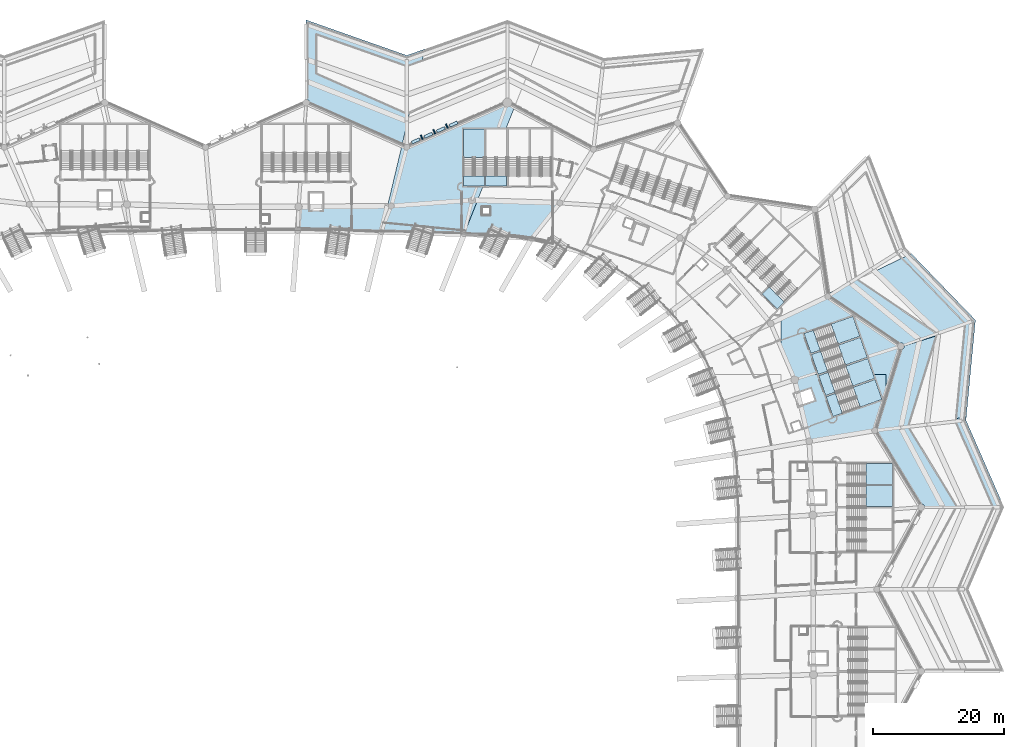
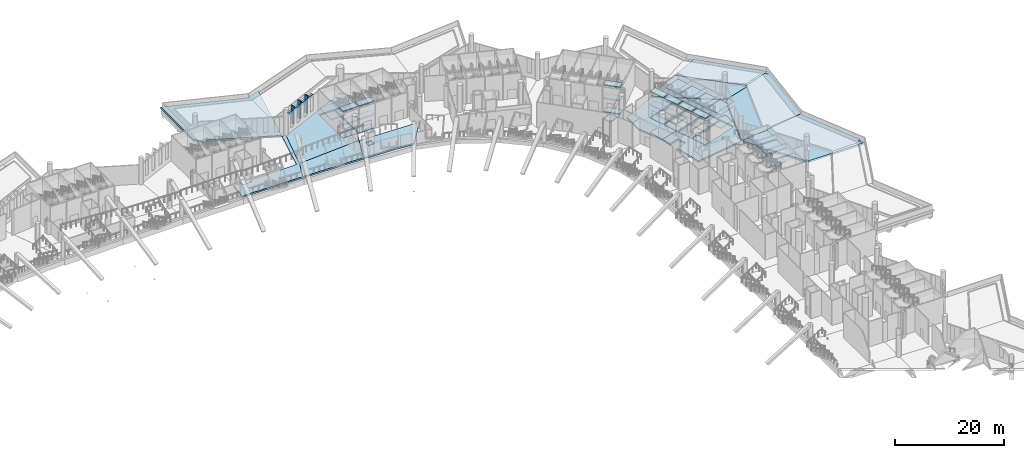
# One storey, part 38 of 173: 45 slabs, 7 plates, 9 elements without a shape of their own.
"""IFC4 building model written with IfcOpenShell, lengths in metres."""

from ifc_helpers import new_model, si_unit, direction, frame, origin, origin_2d, place, context, subcontext, project, spatial, polyline, rectangle, outline, extrude, material, layer, layer_set, type_object, element, aggregate, save


model = new_model("IFC4")

# Units and contexts
model_context = context("Model", 3, precision=1e-05, world=origin(), true_north=direction((0.0, 1.0)))
body_context = subcontext(model_context, "Body", "Model", "MODEL_VIEW")
ifc_project = project(units=[si_unit("LENGTHUNIT", "METRE"), si_unit("AREAUNIT", "SQUARE_METRE"), si_unit("VOLUMEUNIT", "CUBIC_METRE"), si_unit("PLANEANGLEUNIT", "RADIAN"), si_unit("MASSUNIT", "GRAM", prefix="KILO")], contexts=[model_context])

# Site, building, storey
site_placement = place(None, origin())
site = spatial("IfcSite", under=ifc_project, at=site_placement, CompositionType="ELEMENT")
building_placement = place(site_placement, origin())
building = spatial("IfcBuilding", under=site, at=building_placement, Name="Meseta Stadium", CompositionType="ELEMENT")
storey_placement = place(building_placement, frame((0.0, 0.0, 18.0)))
storey = spatial("IfcBuildingStorey", under=building, at=storey_placement, Name="L03", CompositionType="ELEMENT", Elevation=18.0)

# Slabs
ifc_material_1 = material(Name="Concrete C40/50", Category="concrete")
ifc_layer_1 = layer(ifc_material_1, 0.35009765625)
ifc_layer_set_1 = layer_set([ifc_layer_1], Name="Floor slab 350")
slab_type_1 = type_object("IfcSlabType", Name="Floor slab 350", PredefinedType="FLOOR", material=ifc_layer_set_1)
slab_1_placement = place(storey_placement, frame((0.0, 0.0, -0.35009765625)))
element("IfcSlab", 1, at=slab_1_placement, inside=storey, type_object=slab_type_1, Name="Floor slab L03 sector 07 panel 09", PredefinedType="FLOOR", context=body_context, shape_type="SweptSolid", body=[
    extrude(outline(polyline([(82.119873046875, 63.19091796875), (82.137451171875, 63.115966796875), (84.95703125, 64.0), (85.7041015625, 64.0), (84.647705078125, 67.01953125), (92.104248046875, 69.62890625), (93.1611328125, 66.6083984375), (85.70703125, 64.0), (86.312255859375, 64.0), (93.227294921875, 66.419677734375), (94.07373046875, 64.0), (96.0, 64.0), (96.0, 60.927734375), (98.291015625, 68.297607421875), (87.15087890625, 75.856689453125), (80.0, 72.48828125), (80.0, 68.13232421875), (82.119873046875, 63.19091796875)]), holes=[polyline([(84.58154296875, 67.208251953125), (83.524658203125, 70.228759765625), (90.981201171875, 72.837890625), (92.0380859375, 69.8173828125), (84.58154296875, 67.208251953125)])]), origin(), (0.0, 0.0, 1.0), 0.35009765625),
])
slab_2_placement = place(storey_placement, frame((0.0, 0.0, -0.35009765625)))
element("IfcSlab", 2, at=slab_2_placement, inside=storey, type_object=slab_type_1, Name="Floor slab L03 sector 07 panel 10", PredefinedType="FLOOR", context=body_context, shape_type="SweptSolid", body=[
    extrude(outline(polyline([(84.3251953125, 53.801513671875), (94.29443359375, 55.44140625), (96.0, 60.927734375), (96.0, 64.0), (94.07373046875, 64.0), (94.2841796875, 63.399169921875), (86.827392578125, 60.789794921875), (85.7705078125, 63.810302734375), (86.312255859375, 64.0), (85.70703125, 64.0), (85.70458984375, 63.9990234375), (85.7041015625, 64.0), (84.956787109375, 64.0), (82.137451171875, 63.115966796875), (82.59619140625, 61.163330078125), (84.55029296875, 61.84716796875), (85.177978515625, 60.0537109375), (83.032958984375, 59.30322265625), (84.3251953125, 53.801513671875)]), holes=[polyline([(95.406982421875, 60.18994140625), (87.950439453125, 57.580810546875), (86.8935546875, 60.601318359375), (94.35009765625, 63.21044921875), (95.406982421875, 60.18994140625)])]), origin(), (0.0, 0.0, 1.0), 0.35009765625),
])
slab_3_placement = place(storey_placement, frame((0.0, 0.0, -0.35009765625)))
element("IfcSlab", 3, at=slab_3_placement, inside=storey, type_object=slab_type_1, Name="Floor slab L03 sector 14 panel 07", PredefinedType="FLOOR", context=body_context, shape_type="SweptSolid", body=[
    extrude(outline(polyline([(6.386962890625, 85.876708984375), (8.51416015625, 85.85888671875), (10.6396484375, 85.8359375), (12.76318359375, 85.808349609375), (14.884521484375, 85.77587890625), (17.0029296875, 85.7392578125), (19.11865234375, 85.6982421875), (20.649658203125, 89.65625), (23.0, 98.60009765625), (22.267822265625, 98.9248046875), (20.059814453125, 89.651611328125), (10.11669921875, 89.574462890625), (10.11669921875, 89.0), (8.216796875, 89.0), (8.216796875, 89.5595703125), (6.678466796875, 89.547607421875), (6.386962890625, 85.876708984375)])), origin(), (0.0, 0.0, 1.0), 0.35009765625),
])
slab_4_placement = place(storey_placement, frame((0.0, 0.0, -0.35009765625)))
element("IfcSlab", 4, at=slab_4_placement, inside=storey, type_object=slab_type_1, Name="Floor slab L03 sector 14 panel 09", PredefinedType="FLOOR", context=body_context, shape_type="SweptSolid", body=[
    extrude(outline(polyline([(23.33984375, 85.6044921875), (25.445068359375, 85.55224609375), (27.54638671875, 85.49658203125), (29.643798828125, 85.43798828125), (31.73681640625, 85.376708984375), (33.779541015625, 90.524658203125), (32.944091796875, 90.551025390625), (20.649658203125, 89.65625), (19.11865234375, 85.6982421875), (21.23095703125, 85.6533203125), (23.33984375, 85.6044921875)])), origin(), (0.0, 0.0, 1.0), 0.35009765625),
])
slab_5_placement = place(storey_placement, frame((0.0, 0.0, -0.35009765625)))
element("IfcSlab", 5, at=slab_5_placement, inside=storey, type_object=slab_type_1, Name="Floor slab L03 sector 14 panel 10", PredefinedType="FLOOR", context=body_context, shape_type="SweptSolid", body=[
    extrude(outline(polyline([(38.09521484375, 101.39990234375), (39.443603515625, 104.798095703125), (38.333251953125, 105.39990234375), (23.0, 98.60009765625), (20.649658203125, 89.65625), (32.944091796875, 90.551025390625), (33.779541015625, 90.524658203125), (34.642822265625, 92.699951171875), (31.63330078125, 92.699951171875), (31.63330078125, 101.39990234375), (34.833251953125, 101.39990234375), (34.833251953125, 93.179931640625), (35.033203125, 93.683837890625), (35.033203125, 101.39990234375), (38.09521484375, 101.39990234375)])), origin(), (0.0, 0.0, 1.0), 0.35009765625),
])
slab_6_placement = place(storey_placement, frame((0.0, 0.0, -0.35009765625)))
element("IfcSlab", 6, at=slab_6_placement, inside=storey, type_object=slab_type_1, Name="Floor slab L03 sector 14 panel 11", PredefinedType="FLOOR", context=body_context, shape_type="SweptSolid", body=[
    extrude(outline(polyline([(35.91015625, 85.2470703125), (37.989990234375, 85.17919921875), (39.337890625, 85.069580078125), (40.68017578125, 84.912109375), (42.015380859375, 84.707275390625), (46.333251953125, 90.126220703125), (33.779541015625, 90.524658203125), (31.73681640625, 85.376708984375), (33.82568359375, 85.31298828125), (35.91015625, 85.2470703125)]), holes=[polyline([(35.683349609375, 88.301025390625), (34.4833984375, 88.301025390625), (34.4833984375, 89.501220703125), (35.683349609375, 89.501220703125), (35.683349609375, 88.301025390625)])]), origin(), (0.0, 0.0, 1.0), 0.35009765625),
])

# Plates
ifc_material_2 = material(Name="White precast concrete C40/50", Category="concrete")
ifc_layer_2 = layer(ifc_material_2, 0.080078125)
ifc_layer_set_2 = layer_set([ifc_layer_2], Name="Louvre hood 1300x450")
plate_type_1 = type_object("IfcPlateType", Name="Louvre hood 1300x450", PredefinedType="USERDEFINED", material=ifc_layer_set_2)
for number, where, z_axis, x_axis, name in (
    (7, (24.366455078125, 99.5888671875, 4.25), (0.0, 0.0, 1.0), (-0.914139046248, -0.40540079443, 0.0), "Louvre hood L03 F16"),
    (8, (26.2861328125, 100.440185546875, 4.25), (0.0, 0.0, 1.0), (-0.914139046248, -0.40540079443, 0.0), "Louvre hood L03 F16"),
    (9, (28.205810546875, 101.29150390625, 4.25), (0.0, 0.0, 1.0), (-0.914139046248, -0.40540079443, 0.0), "Louvre hood L03 F16"),
    (10, (30.12548828125, 102.142822265625, 4.25), (0.0, 0.0, 1.0), (-0.914139046248, -0.40540079443, 0.0), "Louvre hood L03 F16"),
):
    element("IfcPlate", number, at=place(storey_placement, frame(where, z_axis=z_axis, x_axis=x_axis)), inside=storey, type_object=plate_type_1, Name=name, ObjectType="LOUVRE", PredefinedType="USERDEFINED", context=body_context, shape_type="SweptSolid", body=[
        extrude(rectangle(XDim=1.300048828125, YDim=0.449951171875, at=origin_2d()), origin(), (0.0, 0.0, 1.0), 0.080078125),
    ])
ifc_material_3 = material(Name="Precast concrete C40/50, terracotta pigment", Category="masonry")
ifc_layer_3 = layer(ifc_material_3, 0.199951171875)
ifc_layer_set_3 = layer_set([ifc_layer_3], Name="Precast concrete C40/50, terracotta pigment")
plate_type_2 = type_object("IfcPlateType", Name="Precast fin 200x700", PredefinedType="USERDEFINED", material=ifc_layer_set_3)
for number, where, z_axis, x_axis, name in (
    (11, (25.275634765625, 100.12890625, 0.9501953125), (0.0, 0.0, 1.0), (0.914139367606, 0.405400069798, 0.0), "Precast fin L03 F16.1"),
    (12, (27.1953125, 100.97998046875, 0.9501953125), (0.0, 0.0, 1.0), (0.914139367606, 0.405400069798, 0.0), "Precast fin L03 F16.2"),
    (13, (29.114990234375, 101.83154296875, 0.9501953125), (0.0, 0.0, 1.0), (0.914139367606, 0.405400069798, 0.0), "Precast fin L03 F16.3"),
):
    element("IfcPlate", number, at=place(storey_placement, frame(where, z_axis=z_axis, x_axis=x_axis)), inside=storey, type_object=plate_type_2, Name=name, ObjectType="FIN", PredefinedType="USERDEFINED", context=body_context, shape_type="SweptSolid", body=[
        extrude(rectangle(XDim=0.199951171875, YDim=0.699951171875, at=origin_2d()), origin(), (0.0, 0.0, 1.0), 4.050048828125),
    ])

# Slabs
ifc_material_4 = material(Name="Concrete C40/50", Category="concrete")
ifc_layer_4 = layer(ifc_material_4, 0.39990234375)
ifc_layer_set_4 = layer_set([ifc_layer_4], Name="Roof garden slab 400")
slab_type_2 = type_object("IfcSlabType", Name="Roof garden slab 400", PredefinedType="ROOF", material=ifc_layer_set_4)
slab_7_placement = place(storey_placement, frame((0.0, 0.0, -0.39990234375)))
element("IfcSlab", 14, at=slab_7_placement, inside=storey, type_object=slab_type_2, Name="Roof garden slab 2 panel 01", PredefinedType="ROOF", context=body_context, shape_type="SweptSolid", body=[
    extrude(outline(polyline([(22.302978515625, 99.072998046875), (25.7548828125, 113.5703125), (23.0, 112.60009765625), (7.666748046875, 118.0), (7.666748046875, 105.904296875), (7.797119140625, 105.88720703125), (7.918701171875, 105.836669921875), (8.023193359375, 105.756591796875), (8.103515625, 105.652099609375), (8.15380859375, 105.530517578125), (8.1708984375, 105.39990234375), (8.16357421875, 105.34375), (22.302978515625, 99.072998046875)])), origin(), (0.0, 0.0, 1.0), 0.39990234375),
])
slab_8_placement = place(storey_placement, frame((0.0, 0.0, -0.39990234375)))
element("IfcSlab", 15, at=slab_8_placement, inside=storey, type_object=slab_type_2, Name="Roof garden slab 1 part 1 panel 04", PredefinedType="ROOF", context=body_context, shape_type="SweptSolid", body=[
    extrude(outline(polyline([(98.727783203125, 68.549560546875), (98.7783203125, 68.427978515625), (98.790283203125, 68.337158203125), (103.94775390625, 69.9541015625), (103.989990234375, 70.29150390625), (94.31884765625, 79.728515625), (87.2333984375, 76.32080078125), (87.23681640625, 76.29931640625), (87.268310546875, 76.295166015625), (87.377685546875, 76.249755859375), (87.4716796875, 76.177734375), (87.5439453125, 76.083740234375), (87.589111328125, 75.97412109375), (87.604736328125, 75.856689453125), (87.58935546875, 75.740478515625), (97.980712890625, 68.689453125), (98.0390625, 68.734130859375), (98.16064453125, 68.78466796875), (98.291015625, 68.8017578125), (98.421630859375, 68.78466796875), (98.543212890625, 68.734130859375), (98.647705078125, 68.654052734375), (98.727783203125, 68.549560546875)])), origin(), (0.0, 0.0, 1.0), 0.39990234375),
])
slab_9_placement = place(storey_placement, frame((0.0, 0.0, -0.39990234375)))
element("IfcSlab", 16, at=slab_9_placement, inside=storey, type_object=slab_type_2, Name="Roof garden slab 1 part 1 panel 05", PredefinedType="ROOF", context=body_context, shape_type="SweptSolid", body=[
    extrude(outline(polyline([(99.877197265625, 82.401611328125), (94.31884765625, 79.728515625), (103.989990234375, 70.29150390625), (109.0869140625, 72.0751953125), (109.03564453125, 71.54931640625), (109.601318359375, 71.726806640625), (109.6533203125, 72.273193359375), (99.877197265625, 82.401611328125)])), origin(), (0.0, 0.0, 1.0), 0.39990234375),
])
slab_10_placement = place(storey_placement, frame((0.0, 0.0, -0.39990234375)))
element("IfcSlab", 17, at=slab_10_placement, inside=storey, type_object=slab_type_2, Name="Roof garden slab 1 part 1 panel 06", PredefinedType="ROOF", context=body_context, shape_type="SweptSolid", body=[
    extrude(outline(polyline([(98.7783203125, 68.1669921875), (98.727783203125, 68.04541015625), (98.647705078125, 67.94091796875), (98.543212890625, 67.860595703125), (98.421630859375, 67.810302734375), (98.29150390625, 67.793212890625), (94.563720703125, 55.802001953125), (94.615478515625, 55.762451171875), (94.6875, 55.66845703125), (94.73291015625, 55.558837890625), (94.74169921875, 55.491943359375), (97.672607421875, 55.822021484375), (108.255615234375, 57.526611328125), (109.601318359375, 71.726806640625), (109.03564453125, 71.54931640625), (109.0869140625, 72.0751953125), (103.989990234375, 70.29150390625), (103.94775390625, 69.9541015625), (98.790283203125, 68.337158203125), (98.79541015625, 68.297607421875), (98.7783203125, 68.1669921875)])), origin(), (0.0, 0.0, 1.0), 0.39990234375),
])
slab_11_placement = place(storey_placement, frame((0.0, 0.0, -0.39990234375)))
element("IfcSlab", 18, at=slab_11_placement, inside=storey, type_object=slab_type_2, Name="Roof garden slab 1 part 1 panel 07", PredefinedType="ROOF", context=body_context, shape_type="SweptSolid", body=[
    extrude(outline(polyline([(108.255615234375, 57.526611328125), (97.673095703125, 55.822265625), (94.74169921875, 55.491943359375), (94.748291015625, 55.44140625), (94.73291015625, 55.323974609375), (94.6875, 55.214599609375), (94.64306640625, 55.156494140625), (101.27880859375, 44.23828125), (101.39990234375, 44.25439453125), (101.530517578125, 44.237060546875), (101.652099609375, 44.186767578125), (101.756591796875, 44.106689453125), (101.836669921875, 44.002197265625), (101.88720703125, 43.880615234375), (101.904296875, 43.75), (113.39990234375, 43.75), (112.898193359375, 44.8935546875), (113.480712890625, 44.938232421875), (108.206298828125, 57.009033203125), (108.255615234375, 57.526611328125)])), origin(), (0.0, 0.0, 1.0), 0.39990234375),
])

# Stair, slabs
ifc_material_5 = material(Name="Concrete C40/50", Category="concrete")
stair_type = type_object("IfcStairType", Name="Exit stair 4 flights 150 mm risers", PredefinedType="HALF_TURN_STAIR", material=ifc_material_5)
stair_1_placement = place(storey_placement, origin())
stair_1 = element("IfcStair", 19, at=stair_1_placement, inside=storey, type_object=stair_type, Name="ST19 L03", PredefinedType="HALF_TURN_STAIR")
ifc_material_6 = material(Name="Concrete C40/50", Category="concrete")
ifc_layer_5 = layer(ifc_material_6, 0.199951171875)
ifc_layer_set_5 = layer_set([ifc_layer_5], Name="Stair landing 200")
slab_type_3 = type_object("IfcSlabType", Name="Stair landing 200", PredefinedType="LANDING", material=ifc_layer_set_5)
slab_12_placement = place(storey_placement, frame((0.0, 0.0, 1.300048828125)))
slab_12 = element("IfcSlab", 20, at=slab_12_placement, type_object=slab_type_3, Name="ST19 L03 landing 1", PredefinedType="LANDING", context=body_context, shape_type="SweptSolid", body=[
    extrude(outline(polyline([(92.969970703125, 43.85009765625), (97.0, 43.85009765625), (97.0, 47.050048828125), (92.969970703125, 47.050048828125), (92.969970703125, 43.85009765625)])), origin(), (0.0, 0.0, 1.0), 0.199951171875),
])
slab_13_placement = place(storey_placement, frame((0.0, 0.0, 4.300048828125)))
slab_13 = element("IfcSlab", 21, at=slab_13_placement, type_object=slab_type_3, Name="ST19 L03 landing 3", PredefinedType="LANDING", context=body_context, shape_type="SweptSolid", body=[
    extrude(outline(polyline([(92.969970703125, 43.85009765625), (97.0, 43.85009765625), (97.0, 47.050048828125), (92.969970703125, 47.050048828125), (92.969970703125, 43.85009765625)])), origin(), (0.0, 0.0, 1.0), 0.199951171875),
])
aggregate(stair_1, [slab_12, slab_13])

stair_2_placement = place(storey_placement, origin())
stair_2 = element("IfcStair", 22, at=stair_2_placement, inside=storey, type_object=stair_type, Name="ST20 L03", PredefinedType="HALF_TURN_STAIR")
slab_14_placement = place(storey_placement, frame((0.0, 0.0, 1.300048828125)))
slab_14 = element("IfcSlab", 23, at=slab_14_placement, type_object=slab_type_3, Name="ST20 L03 landing 1", PredefinedType="LANDING", context=body_context, shape_type="SweptSolid", body=[
    extrude(outline(polyline([(92.969970703125, 47.25), (97.0, 47.25), (97.0, 50.449951171875), (92.969970703125, 50.449951171875), (92.969970703125, 47.25)])), origin(), (0.0, 0.0, 1.0), 0.199951171875),
])
slab_15_placement = place(storey_placement, frame((0.0, 0.0, 4.300048828125)))
slab_15 = element("IfcSlab", 24, at=slab_15_placement, type_object=slab_type_3, Name="ST20 L03 landing 3", PredefinedType="LANDING", context=body_context, shape_type="SweptSolid", body=[
    extrude(outline(polyline([(92.969970703125, 47.25), (97.0, 47.25), (97.0, 50.449951171875), (92.969970703125, 50.449951171875), (92.969970703125, 47.25)])), origin(), (0.0, 0.0, 1.0), 0.199951171875),
])
aggregate(stair_2, [slab_14, slab_15])

stair_3_placement = place(storey_placement, origin())
stair_3 = element("IfcStair", 25, at=stair_3_placement, inside=storey, type_object=stair_type, Name="ST21 L03", PredefinedType="HALF_TURN_STAIR")
slab_16_placement = place(storey_placement, frame((0.0, 0.0, 1.300048828125)))
slab_16 = element("IfcSlab", 26, at=slab_16_placement, type_object=slab_type_3, Name="ST21 L03 landing 1", PredefinedType="LANDING", context=body_context, shape_type="SweptSolid", body=[
    extrude(outline(polyline([(92.0751953125, 59.024169921875), (95.406982421875, 60.18994140625), (94.35009765625, 63.21044921875), (91.018310546875, 62.04443359375), (92.0751953125, 59.024169921875)])), origin(), (0.0, 0.0, 1.0), 0.199951171875),
])
slab_17_placement = place(storey_placement, frame((0.0, 0.0, 2.800048828125)))
slab_17 = element("IfcSlab", 27, at=slab_17_placement, type_object=slab_type_3, Name="ST21 L03 landing 2", PredefinedType="LANDING", context=body_context, shape_type="SweptSolid", body=[
    extrude(outline(polyline([(87.950439453125, 57.580810546875), (89.375732421875, 58.079345703125), (88.31884765625, 61.099853515625), (86.8935546875, 60.60107421875), (87.950439453125, 57.580810546875)])), origin(), (0.0, 0.0, 1.0), 0.199951171875),
])
slab_18_placement = place(storey_placement, frame((0.0, 0.0, 4.300048828125)))
slab_18 = element("IfcSlab", 28, at=slab_18_placement, type_object=slab_type_3, Name="ST21 L03 landing 3", PredefinedType="LANDING", context=body_context, shape_type="SweptSolid", body=[
    extrude(outline(polyline([(92.0751953125, 59.024169921875), (95.406982421875, 60.18994140625), (94.35009765625, 63.21044921875), (91.018310546875, 62.04443359375), (92.0751953125, 59.024169921875)])), origin(), (0.0, 0.0, 1.0), 0.199951171875),
])
slab_19_placement = place(storey_placement, frame((0.0, 0.0, -0.199951171875)))
slab_19 = element("IfcSlab", 29, at=slab_19_placement, type_object=slab_type_3, Name="ST21 L03 landing 4", PredefinedType="LANDING", context=body_context, shape_type="SweptSolid", body=[
    extrude(outline(polyline([(87.950439453125, 57.580810546875), (89.375732421875, 58.079345703125), (88.31884765625, 61.099853515625), (86.8935546875, 60.60107421875), (87.950439453125, 57.580810546875)])), origin(), (0.0, 0.0, 1.0), 0.199951171875),
])
slab_20_placement = place(storey_placement, frame((0.0, 0.0, 5.800048828125)))
slab_20 = element("IfcSlab", 30, at=slab_20_placement, type_object=slab_type_3, Name="ST21 L03 landing 5", PredefinedType="LANDING", context=body_context, shape_type="SweptSolid", body=[
    extrude(outline(polyline([(87.950439453125, 57.580810546875), (89.375732421875, 58.079345703125), (88.31884765625, 61.099853515625), (86.8935546875, 60.60107421875), (87.950439453125, 57.580810546875)])), origin(), (0.0, 0.0, 1.0), 0.199951171875),
])
aggregate(stair_3, [slab_16, slab_17, slab_18, slab_19, slab_20])

stair_4_placement = place(storey_placement, origin())
stair_4 = element("IfcStair", 31, at=stair_4_placement, inside=storey, type_object=stair_type, Name="ST22 L03", PredefinedType="HALF_TURN_STAIR")
slab_21_placement = place(storey_placement, frame((0.0, 0.0, 1.300048828125)))
slab_21 = element("IfcSlab", 32, at=slab_21_placement, type_object=slab_type_3, Name="ST22 L03 landing 1", PredefinedType="LANDING", context=body_context, shape_type="SweptSolid", body=[
    extrude(outline(polyline([(90.9521484375, 62.233154296875), (94.2841796875, 63.399169921875), (93.227294921875, 66.419677734375), (89.895263671875, 65.253662109375), (90.9521484375, 62.233154296875)])), origin(), (0.0, 0.0, 1.0), 0.199951171875),
])
slab_22_placement = place(storey_placement, frame((0.0, 0.0, 2.800048828125)))
slab_22 = element("IfcSlab", 33, at=slab_22_placement, type_object=slab_type_3, Name="ST22 L03 landing 2", PredefinedType="LANDING", context=body_context, shape_type="SweptSolid", body=[
    extrude(outline(polyline([(86.827392578125, 60.7900390625), (88.252685546875, 61.28857421875), (87.19580078125, 64.30908203125), (85.7705078125, 63.810302734375), (86.827392578125, 60.7900390625)])), origin(), (0.0, 0.0, 1.0), 0.199951171875),
])
slab_23_placement = place(storey_placement, frame((0.0, 0.0, 4.300048828125)))
slab_23 = element("IfcSlab", 34, at=slab_23_placement, type_object=slab_type_3, Name="ST22 L03 landing 3", PredefinedType="LANDING", context=body_context, shape_type="SweptSolid", body=[
    extrude(outline(polyline([(90.9521484375, 62.233154296875), (94.2841796875, 63.399169921875), (93.227294921875, 66.419677734375), (89.895263671875, 65.253662109375), (90.9521484375, 62.233154296875)])), origin(), (0.0, 0.0, 1.0), 0.199951171875),
])
slab_24_placement = place(storey_placement, frame((0.0, 0.0, -0.199951171875)))
slab_24 = element("IfcSlab", 35, at=slab_24_placement, type_object=slab_type_3, Name="ST22 L03 landing 4", PredefinedType="LANDING", context=body_context, shape_type="SweptSolid", body=[
    extrude(outline(polyline([(86.827392578125, 60.7900390625), (88.252685546875, 61.28857421875), (87.19580078125, 64.30908203125), (85.7705078125, 63.810302734375), (86.827392578125, 60.7900390625)])), origin(), (0.0, 0.0, 1.0), 0.199951171875),
])
slab_25_placement = place(storey_placement, frame((0.0, 0.0, 5.800048828125)))
slab_25 = element("IfcSlab", 36, at=slab_25_placement, type_object=slab_type_3, Name="ST22 L03 landing 5", PredefinedType="LANDING", context=body_context, shape_type="SweptSolid", body=[
    extrude(outline(polyline([(86.827392578125, 60.7900390625), (88.252685546875, 61.28857421875), (87.19580078125, 64.30908203125), (85.7705078125, 63.810302734375), (86.827392578125, 60.7900390625)])), origin(), (0.0, 0.0, 1.0), 0.199951171875),
])
aggregate(stair_4, [slab_21, slab_22, slab_23, slab_24, slab_25])

stair_5_placement = place(storey_placement, origin())
stair_5 = element("IfcStair", 37, at=stair_5_placement, inside=storey, type_object=stair_type, Name="ST23 L03", PredefinedType="HALF_TURN_STAIR")
slab_26_placement = place(storey_placement, frame((0.0, 0.0, 1.300048828125)))
slab_26 = element("IfcSlab", 38, at=slab_26_placement, type_object=slab_type_3, Name="ST23 L03 landing 1", PredefinedType="LANDING", context=body_context, shape_type="SweptSolid", body=[
    extrude(outline(polyline([(89.829345703125, 65.4423828125), (93.1611328125, 66.6083984375), (92.104248046875, 69.628662109375), (88.772216796875, 68.462890625), (89.829345703125, 65.4423828125)])), origin(), (0.0, 0.0, 1.0), 0.199951171875),
])
slab_27_placement = place(storey_placement, frame((0.0, 0.0, 2.800048828125)))
slab_27 = element("IfcSlab", 39, at=slab_27_placement, type_object=slab_type_3, Name="ST23 L03 landing 2", PredefinedType="LANDING", context=body_context, shape_type="SweptSolid", body=[
    extrude(outline(polyline([(85.704345703125, 63.9990234375), (87.129638671875, 64.497802734375), (86.07275390625, 67.518310546875), (84.6474609375, 67.01953125), (85.704345703125, 63.9990234375)])), origin(), (0.0, 0.0, 1.0), 0.199951171875),
])
slab_28_placement = place(storey_placement, frame((0.0, 0.0, 4.300048828125)))
slab_28 = element("IfcSlab", 40, at=slab_28_placement, type_object=slab_type_3, Name="ST23 L03 landing 3", PredefinedType="LANDING", context=body_context, shape_type="SweptSolid", body=[
    extrude(outline(polyline([(89.829345703125, 65.4423828125), (93.1611328125, 66.6083984375), (92.104248046875, 69.628662109375), (88.772216796875, 68.462890625), (89.829345703125, 65.4423828125)])), origin(), (0.0, 0.0, 1.0), 0.199951171875),
])
slab_29_placement = place(storey_placement, frame((0.0, 0.0, -0.199951171875)))
slab_29 = element("IfcSlab", 41, at=slab_29_placement, type_object=slab_type_3, Name="ST23 L03 landing 4", PredefinedType="LANDING", context=body_context, shape_type="SweptSolid", body=[
    extrude(outline(polyline([(85.704345703125, 63.9990234375), (87.129638671875, 64.497802734375), (86.07275390625, 67.518310546875), (84.6474609375, 67.01953125), (85.704345703125, 63.9990234375)])), origin(), (0.0, 0.0, 1.0), 0.199951171875),
])
slab_30_placement = place(storey_placement, frame((0.0, 0.0, 5.800048828125)))
slab_30 = element("IfcSlab", 42, at=slab_30_placement, type_object=slab_type_3, Name="ST23 L03 landing 5", PredefinedType="LANDING", context=body_context, shape_type="SweptSolid", body=[
    extrude(outline(polyline([(85.704345703125, 63.9990234375), (87.129638671875, 64.497802734375), (86.07275390625, 67.518310546875), (84.6474609375, 67.01953125), (85.704345703125, 63.9990234375)])), origin(), (0.0, 0.0, 1.0), 0.199951171875),
])
aggregate(stair_5, [slab_26, slab_27, slab_28, slab_29, slab_30])

stair_6_placement = place(storey_placement, origin())
stair_6 = element("IfcStair", 43, at=stair_6_placement, inside=storey, type_object=stair_type, Name="ST24 L03", PredefinedType="HALF_TURN_STAIR")
slab_31_placement = place(storey_placement, frame((0.0, 0.0, 1.300048828125)))
slab_31 = element("IfcSlab", 44, at=slab_31_placement, type_object=slab_type_3, Name="ST24 L03 landing 1", PredefinedType="LANDING", context=body_context, shape_type="SweptSolid", body=[
    extrude(outline(polyline([(88.706298828125, 68.651611328125), (92.0380859375, 69.817626953125), (90.981201171875, 72.837890625), (87.6494140625, 71.672119140625), (88.706298828125, 68.651611328125)])), origin(), (0.0, 0.0, 1.0), 0.199951171875),
])
slab_32_placement = place(storey_placement, frame((0.0, 0.0, 2.800048828125)))
slab_32 = element("IfcSlab", 45, at=slab_32_placement, type_object=slab_type_3, Name="ST24 L03 landing 2", PredefinedType="LANDING", context=body_context, shape_type="SweptSolid", body=[
    extrude(outline(polyline([(84.58154296875, 67.208251953125), (86.0068359375, 67.70703125), (84.949951171875, 70.7275390625), (83.524658203125, 70.228759765625), (84.58154296875, 67.208251953125)])), origin(), (0.0, 0.0, 1.0), 0.199951171875),
])
slab_33_placement = place(storey_placement, frame((0.0, 0.0, 4.300048828125)))
slab_33 = element("IfcSlab", 46, at=slab_33_placement, type_object=slab_type_3, Name="ST24 L03 landing 3", PredefinedType="LANDING", context=body_context, shape_type="SweptSolid", body=[
    extrude(outline(polyline([(88.706298828125, 68.651611328125), (92.0380859375, 69.817626953125), (90.981201171875, 72.837890625), (87.6494140625, 71.672119140625), (88.706298828125, 68.651611328125)])), origin(), (0.0, 0.0, 1.0), 0.199951171875),
])
slab_34_placement = place(storey_placement, frame((0.0, 0.0, -0.199951171875)))
slab_34 = element("IfcSlab", 47, at=slab_34_placement, type_object=slab_type_3, Name="ST24 L03 landing 4", PredefinedType="LANDING", context=body_context, shape_type="SweptSolid", body=[
    extrude(outline(polyline([(84.58154296875, 67.208251953125), (86.0068359375, 67.70703125), (84.949951171875, 70.7275390625), (83.524658203125, 70.228759765625), (84.58154296875, 67.208251953125)])), origin(), (0.0, 0.0, 1.0), 0.199951171875),
])
slab_35_placement = place(storey_placement, frame((0.0, 0.0, 5.800048828125)))
slab_35 = element("IfcSlab", 48, at=slab_35_placement, type_object=slab_type_3, Name="ST24 L03 landing 5", PredefinedType="LANDING", context=body_context, shape_type="SweptSolid", body=[
    extrude(outline(polyline([(84.58154296875, 67.208251953125), (86.0068359375, 67.70703125), (84.949951171875, 70.7275390625), (83.524658203125, 70.228759765625), (84.58154296875, 67.208251953125)])), origin(), (0.0, 0.0, 1.0), 0.199951171875),
])
aggregate(stair_6, [slab_31, slab_32, slab_33, slab_34, slab_35])

stair_7_placement = place(storey_placement, origin())
stair_7 = element("IfcStair", 49, at=stair_7_placement, inside=storey, type_object=stair_type, Name="ST25 L03", PredefinedType="HALF_TURN_STAIR")
slab_36_placement = place(storey_placement, frame((0.0, 0.0, 2.800048828125)))
slab_36 = element("IfcSlab", 50, at=slab_36_placement, type_object=slab_type_3, Name="ST25 L03 landing 2", PredefinedType="LANDING", context=body_context, shape_type="SweptSolid", body=[
    extrude(outline(polyline([(79.446044921875, 73.970947265625), (80.513916015625, 75.03857421875), (78.251220703125, 77.301513671875), (77.183349609375, 76.233642578125), (79.446044921875, 73.970947265625)])), origin(), (0.0, 0.0, 1.0), 0.199951171875),
])
slab_37_placement = place(storey_placement, frame((0.0, 0.0, -0.199951171875)))
slab_37 = element("IfcSlab", 51, at=slab_37_placement, type_object=slab_type_3, Name="ST25 L03 landing 4", PredefinedType="LANDING", context=body_context, shape_type="SweptSolid", body=[
    extrude(outline(polyline([(79.4462890625, 73.970947265625), (79.988037109375, 74.5126953125), (79.988037109375, 74.524658203125), (79.988037109375, 74.52587890625), (79.98828125, 74.527099609375), (79.988525390625, 74.5283203125), (79.989013671875, 74.529296875), (79.989501953125, 74.530517578125), (79.989990234375, 74.531494140625), (79.99072265625, 74.5322265625), (79.991455078125, 74.533203125), (80.50537109375, 75.047119140625), (78.251220703125, 77.301513671875), (77.183349609375, 76.233642578125), (79.4462890625, 73.970947265625)])), origin(), (0.0, 0.0, 1.0), 0.199951171875),
])
slab_38_placement = place(storey_placement, frame((0.0, 0.0, 5.800048828125)))
slab_38 = element("IfcSlab", 52, at=slab_38_placement, type_object=slab_type_3, Name="ST25 L03 landing 5", PredefinedType="LANDING", context=body_context, shape_type="SweptSolid", body=[
    extrude(outline(polyline([(79.4462890625, 73.970947265625), (79.988037109375, 74.5126953125), (79.988037109375, 74.524658203125), (79.988037109375, 74.52587890625), (79.98828125, 74.527099609375), (79.988525390625, 74.5283203125), (79.989013671875, 74.529296875), (79.989501953125, 74.530517578125), (79.989990234375, 74.531494140625), (79.99072265625, 74.5322265625), (79.991455078125, 74.533203125), (80.50537109375, 75.047119140625), (78.251220703125, 77.301513671875), (77.183349609375, 76.233642578125), (79.4462890625, 73.970947265625)])), origin(), (0.0, 0.0, 1.0), 0.199951171875),
])
aggregate(stair_7, [slab_36, slab_37, slab_38])

stair_8_placement = place(storey_placement, origin())
stair_8 = element("IfcStair", 53, at=stair_8_placement, inside=storey, type_object=stair_type, Name="ST35 L03", PredefinedType="HALF_TURN_STAIR")
slab_39_placement = place(storey_placement, frame((0.0, 0.0, 2.800048828125)))
slab_39 = element("IfcSlab", 54, at=slab_39_placement, type_object=slab_type_3, Name="ST35 L03 landing 2", PredefinedType="LANDING", context=body_context, shape_type="SweptSolid", body=[
    extrude(outline(polyline([(38.2333984375, 92.699951171875), (38.2333984375, 94.2099609375), (35.033447265625, 94.2099609375), (35.033447265625, 92.699951171875), (38.2333984375, 92.699951171875)])), origin(), (0.0, 0.0, 1.0), 0.199951171875),
])
slab_40_placement = place(storey_placement, frame((0.0, 0.0, -0.199951171875)))
slab_40 = element("IfcSlab", 55, at=slab_40_placement, type_object=slab_type_3, Name="ST35 L03 landing 4", PredefinedType="LANDING", context=body_context, shape_type="SweptSolid", body=[
    extrude(outline(polyline([(38.2333984375, 92.699951171875), (38.2333984375, 94.2099609375), (35.033447265625, 94.2099609375), (35.033447265625, 92.699951171875), (38.2333984375, 92.699951171875)])), origin(), (0.0, 0.0, 1.0), 0.199951171875),
])
slab_41_placement = place(storey_placement, frame((0.0, 0.0, 5.800048828125)))
slab_41 = element("IfcSlab", 56, at=slab_41_placement, type_object=slab_type_3, Name="ST35 L03 landing 5", PredefinedType="LANDING", context=body_context, shape_type="SweptSolid", body=[
    extrude(outline(polyline([(38.2333984375, 92.699951171875), (38.2333984375, 94.2099609375), (35.033447265625, 94.2099609375), (35.033447265625, 92.699951171875), (38.2333984375, 92.699951171875)])), origin(), (0.0, 0.0, 1.0), 0.199951171875),
])
aggregate(stair_8, [slab_39, slab_40, slab_41])

stair_9_placement = place(storey_placement, origin())
stair_9 = element("IfcStair", 57, at=stair_9_placement, inside=storey, type_object=stair_type, Name="ST36 L03", PredefinedType="HALF_TURN_STAIR")
slab_42_placement = place(storey_placement, frame((0.0, 0.0, 1.300048828125)))
slab_42 = element("IfcSlab", 58, at=slab_42_placement, type_object=slab_type_3, Name="ST36 L03 landing 1", PredefinedType="LANDING", context=body_context, shape_type="SweptSolid", body=[
    extrude(outline(polyline([(34.833251953125, 97.070068359375), (34.833251953125, 101.39990234375), (31.63330078125, 101.39990234375), (31.63330078125, 97.070068359375), (34.833251953125, 97.070068359375)])), origin(), (0.0, 0.0, 1.0), 0.199951171875),
])
slab_43_placement = place(storey_placement, frame((0.0, 0.0, 2.800048828125)))
slab_43 = element("IfcSlab", 59, at=slab_43_placement, type_object=slab_type_3, Name="ST36 L03 landing 2", PredefinedType="LANDING", context=body_context, shape_type="SweptSolid", body=[
    extrude(outline(polyline([(34.833251953125, 92.699951171875), (34.833251953125, 94.2099609375), (31.63330078125, 94.2099609375), (31.63330078125, 92.699951171875), (34.833251953125, 92.699951171875)])), origin(), (0.0, 0.0, 1.0), 0.199951171875),
])
slab_44_placement = place(storey_placement, frame((0.0, 0.0, -0.199951171875)))
slab_44 = element("IfcSlab", 60, at=slab_44_placement, type_object=slab_type_3, Name="ST36 L03 landing 4", PredefinedType="LANDING", context=body_context, shape_type="SweptSolid", body=[
    extrude(outline(polyline([(34.833251953125, 92.699951171875), (34.833251953125, 94.2099609375), (31.63330078125, 94.2099609375), (31.63330078125, 92.699951171875), (34.833251953125, 92.699951171875)])), origin(), (0.0, 0.0, 1.0), 0.199951171875),
])
slab_45_placement = place(storey_placement, frame((0.0, 0.0, 5.800048828125)))
slab_45 = element("IfcSlab", 61, at=slab_45_placement, type_object=slab_type_3, Name="ST36 L03 landing 5", PredefinedType="LANDING", context=body_context, shape_type="SweptSolid", body=[
    extrude(outline(polyline([(34.833251953125, 92.699951171875), (34.833251953125, 94.2099609375), (31.63330078125, 94.2099609375), (31.63330078125, 92.699951171875), (34.833251953125, 92.699951171875)])), origin(), (0.0, 0.0, 1.0), 0.199951171875),
])
aggregate(stair_9, [slab_42, slab_43, slab_44, slab_45])

save(model, "model.ifc")
